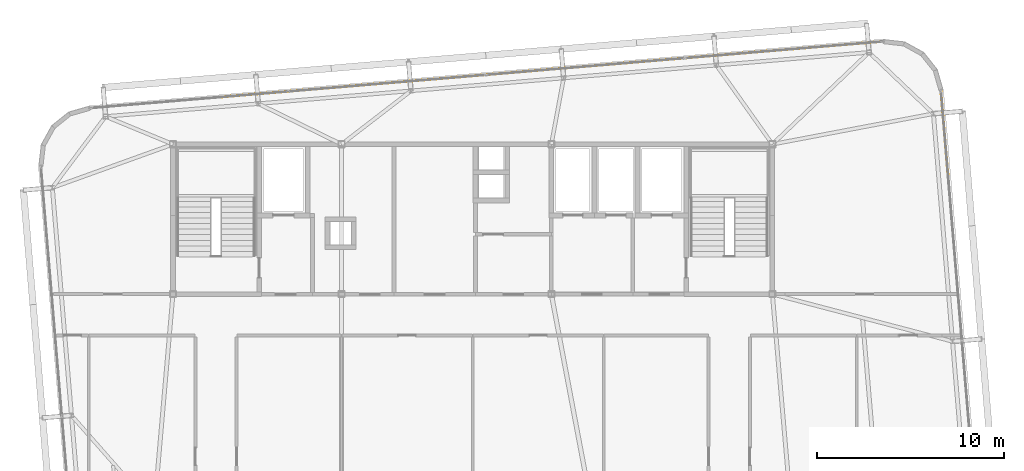
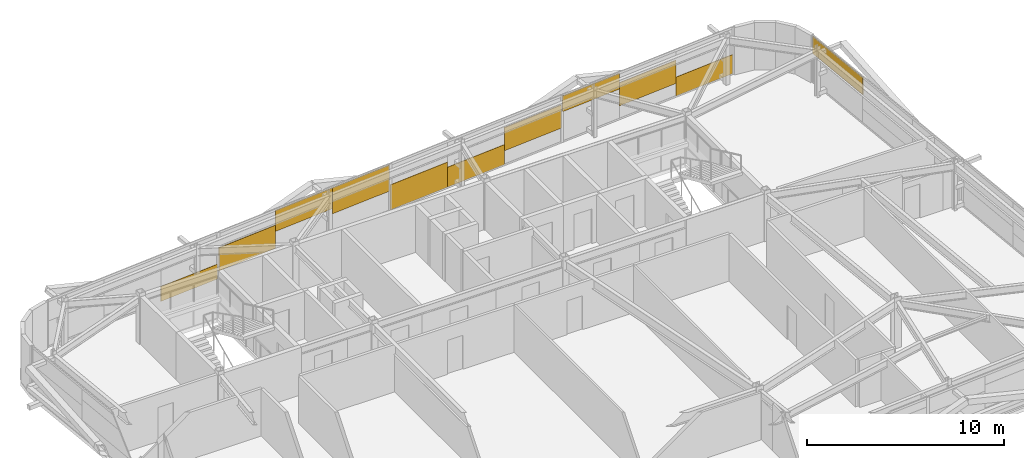
# One storey, part 39 of 39: 11 coverings.
"""IFC4 building model written with IfcOpenShell, lengths in metres."""

from ifc_helpers import new_model, si_unit, direction, frame, origin, origin_2d, place, context, subcontext, project, spatial, rectangle, extrude, source, transform, mapped, material, layer, layer_set, type_object, element, save


model = new_model("IFC4")

# Units and contexts
model_context = context("Model", 3, precision=1e-05, world=origin(), true_north=direction((0.0, 1.0)))
body_context = subcontext(model_context, "Body", "Model", "MODEL_VIEW")
ifc_project = project(units=[si_unit("LENGTHUNIT", "METRE"), si_unit("AREAUNIT", "SQUARE_METRE"), si_unit("VOLUMEUNIT", "CUBIC_METRE"), si_unit("PLANEANGLEUNIT", "RADIAN"), si_unit("MASSUNIT", "GRAM", prefix="KILO")], contexts=[model_context])

# Site, building, storey
site_placement = place(None, origin())
site = spatial("IfcSite", under=ifc_project, at=site_placement, CompositionType="ELEMENT")
building_placement = place(site_placement, origin())
building = spatial("IfcBuilding", under=site, at=building_placement, Name="Taldren Reach Tower", CompositionType="ELEMENT")
storey_placement = place(building_placement, frame((0.0, 0.0, 175.699951171875)))
storey = spatial("IfcBuildingStorey", under=building, at=storey_placement, Name="L53", CompositionType="ELEMENT", Elevation=175.699951171875)

# Coverings
ifc_material = material(Name="Pale Champagne Fluoropolymer Aluminium Spandrel Cladding", Category="aluminium")
ifc_layer = layer(ifc_material, 0.0439453125)
ifc_layer_set = layer_set([ifc_layer], Name="Pale Champagne Fluoropolymer Aluminium Spandrel Cladding")
covering_type = type_object("IfcCoveringType", Name="CV-CLAD-044", PredefinedType="CLADDING", material=ifc_layer_set)
shared_shape_1 = source(origin(), body_context, "Body", "SweptSolid", [
    extrude(rectangle(XDim=3.506591796875, YDim=0.0439453125, at=origin_2d()), origin(), (0.0, 0.0, 1.0), 1.177734375),
])
covering_1_placement = place(storey_placement, frame((55.097900390625, 37.32861328125, 0.06005859375), z_axis=(0.0, 0.0, 1.0), x_axis=(-0.99649285657, -0.083677875247, 0.0)))
element("IfcCovering", 1, at=covering_1_placement, inside=storey, type_object=covering_type, Name="Diagrid closure cladding strip CW-5 panel 1.1 1", PredefinedType="CLADDING", context=body_context, shape_type="MappedRepresentation", body=[
    mapped(shared_shape_1, transform((0.0, 0.0, 0.0), scale=1.0)),
])
shared_shape_2 = source(origin(), body_context, "Body", "SweptSolid", [
    extrude(rectangle(XDim=3.506591796875, YDim=0.0439453125, at=origin_2d()), origin(), (0.0, 0.0, 1.0), 1.42724609375),
])
covering_2_placement = place(storey_placement, frame((51.603515625, 37.03515625, 0.85205078125), z_axis=(0.0, 0.0, 1.0), x_axis=(-0.99649285657, -0.083677875247, 0.0)))
element("IfcCovering", 2, at=covering_2_placement, inside=storey, type_object=covering_type, Name="Diagrid closure cladding strip CW-5 panel 1.1 2", PredefinedType="CLADDING", context=body_context, shape_type="MappedRepresentation", body=[
    mapped(shared_shape_2, transform((0.0, 0.0, 0.0), scale=1.0)),
])
shared_shape_3 = source(origin(), body_context, "Body", "SweptSolid", [
    extrude(rectangle(XDim=3.506591796875, YDim=0.0439453125, at=origin_2d()), origin(), (0.0, 0.0, 1.0), 0.976318359375),
])
covering_3_placement = place(storey_placement, frame((48.109130859375, 36.74169921875, 1.8935546875), z_axis=(0.0, 0.0, 1.0), x_axis=(-0.99649285657, -0.083677875247, 0.0)))
element("IfcCovering", 3, at=covering_3_placement, inside=storey, type_object=covering_type, Name="Diagrid closure cladding strip CW-5 panel 1.1 3", PredefinedType="CLADDING", context=body_context, shape_type="MappedRepresentation", body=[
    mapped(shared_shape_3, transform((0.0, 0.0, 0.0), scale=1.0)),
])
shared_shape_4 = source(origin(), body_context, "Body", "SweptSolid", [
    extrude(rectangle(XDim=3.518310546875, YDim=0.0439453125, at=origin_2d()), origin(), (0.0, 0.0, 1.0), 1.4306640625),
])
for number, where, z_axis, x_axis, name in (
    (4, (44.539306640625, 36.44189453125, 0.9130859375), (0.0, 0.0, 1.0), (-0.99649285657, -0.083677875247, 0.0), "Diagrid closure cladding strip CW-5 panel 2.1 1"),
    (5, (26.939453125, 34.964111328125, 0.5263671875), (0.0, 0.0, 1.0), (-0.99649285657, -0.083677875247, 0.0), "Diagrid closure cladding strip CW-5 panel 3.1 3"),
):
    element("IfcCovering", number, at=place(storey_placement, frame(where, z_axis=z_axis, x_axis=x_axis)), inside=storey, type_object=covering_type, Name=name, PredefinedType="CLADDING", context=body_context, shape_type="MappedRepresentation", body=[
        mapped(shared_shape_4, transform((0.0, 0.0, 0.0), scale=1.0)),
    ])
shared_shape_5 = source(origin(), body_context, "Body", "SweptSolid", [
    extrude(rectangle(XDim=3.518310546875, YDim=0.0439453125, at=origin_2d()), origin(), (0.0, 0.0, 1.0), 1.238525390625),
])
covering_4_placement = place(storey_placement, frame((41.033203125, 36.1474609375, 0.06005859375), z_axis=(0.0, 0.0, 1.0), x_axis=(-0.99649285657, -0.083677875247, 0.0)))
element("IfcCovering", 6, at=covering_4_placement, inside=storey, type_object=covering_type, Name="Diagrid closure cladding strip CW-5 panel 2.1 2", PredefinedType="CLADDING", context=body_context, shape_type="MappedRepresentation", body=[
    mapped(shared_shape_5, transform((0.0, 0.0, 0.0), scale=1.0)),
])
shared_shape_6 = source(origin(), body_context, "Body", "SweptSolid", [
    extrude(rectangle(XDim=3.518310546875, YDim=0.0439453125, at=origin_2d()), origin(), (0.0, 0.0, 1.0), 1.557373046875),
])
covering_5_placement = place(storey_placement, frame((37.52734375, 35.85302734375, 0.06005859375), z_axis=(0.0, 0.0, 1.0), x_axis=(-0.99649285657, -0.083677875247, 0.0)))
element("IfcCovering", 7, at=covering_5_placement, inside=storey, type_object=covering_type, Name="Diagrid closure cladding strip CW-5 panel 2.1 3", PredefinedType="CLADDING", context=body_context, shape_type="MappedRepresentation", body=[
    mapped(shared_shape_6, transform((0.0, 0.0, 0.0), scale=1.0)),
])
shared_shape_7 = source(origin(), body_context, "Body", "SweptSolid", [
    extrude(rectangle(XDim=3.518310546875, YDim=0.0439453125, at=origin_2d()), origin(), (0.0, 0.0, 1.0), 1.617431640625),
])
covering_6_placement = place(storey_placement, frame((33.951416015625, 35.552734375, 1.25244140625), z_axis=(0.0, 0.0, 1.0), x_axis=(-0.99649285657, -0.083677875247, 0.0)))
element("IfcCovering", 8, at=covering_6_placement, inside=storey, type_object=covering_type, Name="Diagrid closure cladding strip CW-5 panel 3.1 1", PredefinedType="CLADDING", context=body_context, shape_type="MappedRepresentation", body=[
    mapped(shared_shape_7, transform((0.0, 0.0, 0.0), scale=1.0)),
])
shared_shape_8 = source(origin(), body_context, "Body", "SweptSolid", [
    extrude(rectangle(XDim=3.518310546875, YDim=0.0439453125, at=origin_2d()), origin(), (0.0, 0.0, 1.0), 1.298583984375),
])
covering_7_placement = place(storey_placement, frame((30.445556640625, 35.258544921875, 1.5712890625), z_axis=(0.0, 0.0, 1.0), x_axis=(-0.99649285657, -0.083677875247, 0.0)))
element("IfcCovering", 9, at=covering_7_placement, inside=storey, type_object=covering_type, Name="Diagrid closure cladding strip CW-5 panel 3.1 2", PredefinedType="CLADDING", context=body_context, shape_type="MappedRepresentation", body=[
    mapped(shared_shape_8, transform((0.0, 0.0, 0.0), scale=1.0)),
])
shared_shape_9 = source(origin(), body_context, "Body", "SweptSolid", [
    extrude(rectangle(XDim=3.506591796875, YDim=0.0439453125, at=origin_2d()), origin(), (0.0, 0.0, 1.0), 0.916259765625),
])
covering_8_placement = place(storey_placement, frame((23.36962890625, 34.664306640625, 0.06005859375), z_axis=(0.0, 0.0, 1.0), x_axis=(-0.99649285657, -0.083677875247, 0.0)))
element("IfcCovering", 10, at=covering_8_placement, inside=storey, type_object=covering_type, Name="Diagrid closure cladding strip CW-5 panel 4.1 1", PredefinedType="CLADDING", context=body_context, shape_type="MappedRepresentation", body=[
    mapped(shared_shape_9, transform((0.0, 0.0, 0.0), scale=1.0)),
])
shared_shape_10 = source(origin(), body_context, "Body", "SweptSolid", [
    extrude(rectangle(XDim=4.431640625, YDim=0.0439453125, at=origin_2d()), origin(), (0.0, 0.0, 1.0), 1.066162109375),
])
covering_9_placement = place(storey_placement, frame((60.1953125, 32.5927734375, 1.8037109375), z_axis=(0.0, 0.0, 1.0), x_axis=(-0.083677979808, 0.996492847789, 0.0)))
element("IfcCovering", 11, at=covering_9_placement, inside=storey, type_object=covering_type, Name="Diagrid closure cladding strip CW-5 panel 2.1 3", PredefinedType="CLADDING", context=body_context, shape_type="MappedRepresentation", body=[
    mapped(shared_shape_10, transform((0.0, 0.0, 0.0), scale=1.0)),
])

save(model, "model.ifc")
